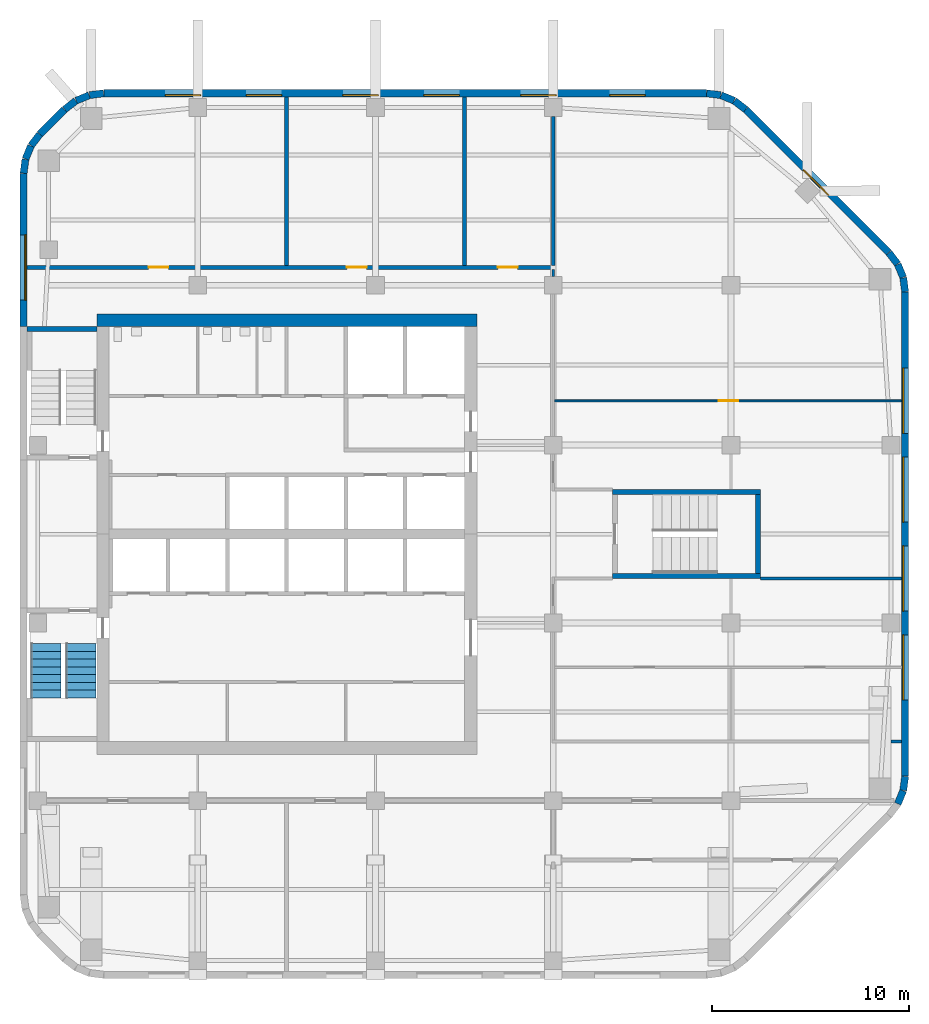
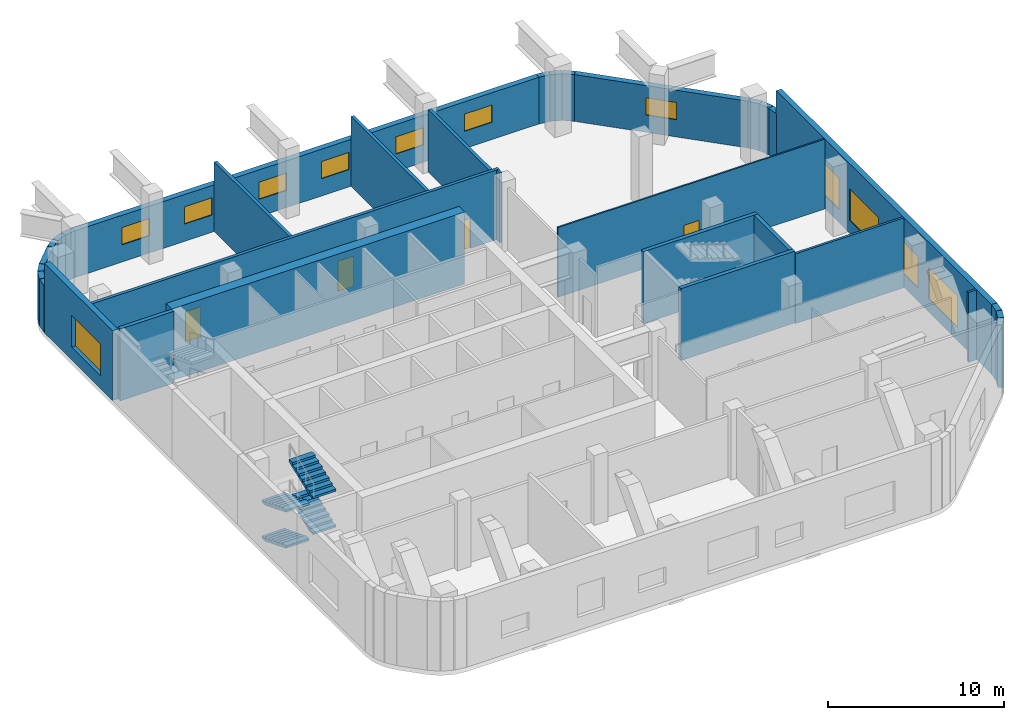
# One storey, part 5 of 8: 32 walls, 12 windows, 4 doors, 4 stair flights, 16 openings, 1 element without a shape of its own.
"""IFC4 building model written with IfcOpenShell, lengths in metres."""

from ifc_helpers import new_model, si_unit, direction, frame, frame_2d, origin, place, context, subcontext, project, spatial, polyline, rectangle, outline, extrude, material, layer, layer_set, type_object, element, fill, aggregate, save


model = new_model("IFC4")

# Units and contexts
model_context = context("Model", 3, precision=1e-05, world=origin(), true_north=direction((0.0, 1.0)))
body_context = subcontext(model_context, "Body", "Model", "MODEL_VIEW")
ifc_project = project(units=[si_unit("LENGTHUNIT", "METRE"), si_unit("AREAUNIT", "SQUARE_METRE"), si_unit("VOLUMEUNIT", "CUBIC_METRE"), si_unit("PLANEANGLEUNIT", "RADIAN"), si_unit("MASSUNIT", "GRAM", prefix="KILO")], contexts=[model_context])

# Site, building, storey
site_placement = place(None, origin())
site = spatial("IfcSite", under=ifc_project, at=site_placement, CompositionType="ELEMENT")
building_placement = place(site_placement, origin())
building = spatial("IfcBuilding", under=site, at=building_placement, Name="Cinnabar Reach Civic Tower", CompositionType="ELEMENT")
storey_placement = place(building_placement, frame((0.0, 0.0, 193.0)))
storey = spatial("IfcBuildingStorey", under=building, at=storey_placement, Name="L46", CompositionType="ELEMENT", Elevation=193.0)

# Walls
ifc_material_1 = material(Name="Facing brick with insulated backing", Category="masonry")
ifc_layer_1 = layer(ifc_material_1, 0.36)
ifc_layer_set_1 = layer_set([ifc_layer_1], Name="Brick corner wall")
wall_type_1 = type_object("IfcWallType", Name="Brick corner wall", PredefinedType="STANDARD", material=ifc_layer_set_1)
for number, where, z_axis, x_axis, name in (
    (1, (44.4452, 17.8439, 0.0), (0.0, 0.0, 1.0), (0.382702709855, 0.923871547278, 0.0), "Brick corner wall"),
    (2, (44.7239, 18.5244, 0.0), (0.0, 0.0, 1.0), (0.13055608231, 0.99144092581, 0.0), "Brick corner wall"),
):
    element("IfcWall", number, at=place(storey_placement, frame(where, z_axis=z_axis, x_axis=x_axis)), inside=storey, type_object=wall_type_1, Name=name, PredefinedType="STANDARD", context=body_context, shape_type="SweptSolid", body=[
        extrude(rectangle(XDim=0.7131, YDim=0.36, at=frame_2d((0.3565, 0.0))), origin(), (0.0, 0.0, 1.0), 4.85),
    ])
for number, where, z_axis, x_axis, name in (
    (3, (44.817, 43.7686, 0.0), (0.0, 0.0, 1.0), (-0.13055608231, 0.99144092581, 0.0), "Brick corner wall"),
    (4, (44.7181, 44.4973, 0.0), (0.0, 0.0, 1.0), (-0.382702709855, 0.923871547278, 0.0), "Brick corner wall"),
):
    element("IfcWall", number, at=place(storey_placement, frame(where, z_axis=z_axis, x_axis=x_axis)), inside=storey, type_object=wall_type_1, Name=name, PredefinedType="STANDARD", context=body_context, shape_type="SweptSolid", body=[
        extrude(rectangle(XDim=0.7131, YDim=0.36, at=frame_2d((0.3565, 0.0))), origin(), (0.0, 0.0, 1.0), 3.25),
    ])
for number, where, z_axis, x_axis, name in (
    (5, (44.434, 45.1755, 0.0), (0.0, 0.0, 1.0), (-0.608802368033, 0.793321924995, 0.0), "Brick corner wall"),
    (6, (36.7413, 52.9998, 0.0), (0.0, 0.0, 1.0), (-0.793321924995, 0.608802368033, 0.0), "Brick corner wall"),
):
    element("IfcWall", number, at=place(storey_placement, frame(where, z_axis=z_axis, x_axis=x_axis)), inside=storey, type_object=wall_type_1, Name=name, PredefinedType="STANDARD", context=body_context, shape_type="SweptSolid", body=[
        extrude(rectangle(XDim=0.7132, YDim=0.36, at=frame_2d((0.3566, 0.0))), origin(), (0.0, 0.0, 1.0), 3.25),
    ])
for number, where, z_axis, x_axis, name in (
    (7, (36.1561, 53.4452, 0.0), (0.0, 0.0, 1.0), (-0.923871547278, 0.382702709855, 0.0), "Brick corner wall"),
    (8, (35.4756, 53.7239, 0.0), (0.0, 0.0, 1.0), (-0.99144092581, 0.13055608231, 0.0), "Brick corner wall"),
    (9, (4.2314, 53.817, 0.0), (0.0, 0.0, 1.0), (-0.99144092581, -0.13055608231, 0.0), "Brick corner wall"),
    (10, (3.5027, 53.7181, 0.0), (0.0, 0.0, 1.0), (-0.923871547278, -0.382702709855, 0.0), "Brick corner wall"),
):
    element("IfcWall", number, at=place(storey_placement, frame(where, z_axis=z_axis, x_axis=x_axis)), inside=storey, type_object=wall_type_1, Name=name, PredefinedType="STANDARD", context=body_context, shape_type="SweptSolid", body=[
        extrude(rectangle(XDim=0.7131, YDim=0.36, at=frame_2d((0.3565, 0.0))), origin(), (0.0, 0.0, 1.0), 3.25),
    ])
for number, where, z_axis, x_axis, name in (
    (11, (2.8245, 53.434, 0.0), (0.0, 0.0, 1.0), (-0.793321924995, -0.608802368033, 0.0), "Brick corner wall"),
    (12, (1.0002, 51.7413, 0.0), (0.0, 0.0, 1.0), (-0.608802368033, -0.793321924995, 0.0), "Brick corner wall"),
):
    element("IfcWall", number, at=place(storey_placement, frame(where, z_axis=z_axis, x_axis=x_axis)), inside=storey, type_object=wall_type_1, Name=name, PredefinedType="STANDARD", context=body_context, shape_type="SweptSolid", body=[
        extrude(rectangle(XDim=0.7132, YDim=0.36, at=frame_2d((0.3566, 0.0))), origin(), (0.0, 0.0, 1.0), 3.25),
    ])
for number, where, z_axis, x_axis, name in (
    (13, (0.5548, 51.1561, 0.0), (0.0, 0.0, 1.0), (-0.382702709855, -0.923871547278, 0.0), "Brick corner wall"),
    (14, (0.2761, 50.4756, 0.0), (0.0, 0.0, 1.0), (-0.13055608231, -0.99144092581, 0.0), "Brick corner wall"),
):
    element("IfcWall", number, at=place(storey_placement, frame(where, z_axis=z_axis, x_axis=x_axis)), inside=storey, type_object=wall_type_1, Name=name, PredefinedType="STANDARD", context=body_context, shape_type="SweptSolid", body=[
        extrude(rectangle(XDim=0.7131, YDim=0.36, at=frame_2d((0.3565, 0.0))), origin(), (0.0, 0.0, 1.0), 3.25),
    ])

# Wall, openings, windows
ifc_layer_2 = layer(ifc_material_1, 0.36)
ifc_layer_set_2 = layer_set([ifc_layer_2], Name="Brick pier and spandrel wall")
wall_type_2 = type_object("IfcWallType", Name="Brick pier and spandrel wall", PredefinedType="STANDARD", material=ifc_layer_set_2)
wall_1_placement = place(storey_placement, frame((44.82, 19.2426, 0.0), z_axis=(0.0, 0.0, 1.0), x_axis=(0.0, 1.0, 0.0)))
wall_1 = element("IfcWall", 15, at=wall_1_placement, inside=storey, type_object=wall_type_2, Name="Brick facade wall", PredefinedType="STANDARD", context=body_context, shape_type="SweptSolid", body=[
    extrude(rectangle(XDim=24.5148, YDim=0.36, at=frame_2d((12.2574, 0.0))), origin(), (0.0, 0.0, 1.0), 4.85),
])
opening_1_placement = place(wall_1_placement, frame((3.8574, 0.0, 0.9)))
opening_1 = element("IfcOpeningElement", 16, at=opening_1_placement, cuts=wall_1, Name="Opening W1948", PredefinedType="OPENING", context=body_context, shape_type="SweptSolid", body=[
    extrude(rectangle(XDim=3.3, YDim=2.2, at=frame_2d((1.65, 1.1))), frame((0.0, 0.19, 0.0), z_axis=(0.0, -1.0, 0.0), x_axis=(1.0, 0.0, 0.0)), (0.0, 0.0, 1.0), 0.38),
])
opening_2_placement = place(wall_1_placement, frame((8.3574, 0.0, 0.9)))
opening_2 = element("IfcOpeningElement", 17, at=opening_2_placement, cuts=wall_1, Name="Opening W1949", PredefinedType="OPENING", context=body_context, shape_type="SweptSolid", body=[
    extrude(rectangle(XDim=3.3, YDim=2.2, at=frame_2d((1.65, 1.1))), frame((0.0, 0.19, 0.0), z_axis=(0.0, -1.0, 0.0), x_axis=(1.0, 0.0, 0.0)), (0.0, 0.0, 1.0), 0.38),
])
opening_3_placement = place(wall_1_placement, frame((12.8574, 0.0, 0.9)))
opening_3 = element("IfcOpeningElement", 18, at=opening_3_placement, cuts=wall_1, Name="Opening W1950", PredefinedType="OPENING", context=body_context, shape_type="SweptSolid", body=[
    extrude(rectangle(XDim=3.3, YDim=2.2, at=frame_2d((1.65, 1.1))), frame((0.0, 0.19, 0.0), z_axis=(0.0, -1.0, 0.0), x_axis=(1.0, 0.0, 0.0)), (0.0, 0.0, 1.0), 0.38),
])
opening_4_placement = place(wall_1_placement, frame((17.3574, 0.0, 0.9)))
opening_4 = element("IfcOpeningElement", 19, at=opening_4_placement, cuts=wall_1, Name="Opening W1951", PredefinedType="OPENING", context=body_context, shape_type="SweptSolid", body=[
    extrude(rectangle(XDim=3.3, YDim=2.2, at=frame_2d((1.65, 1.1))), frame((0.0, 0.19, 0.0), z_axis=(0.0, -1.0, 0.0), x_axis=(1.0, 0.0, 0.0)), (0.0, 0.0, 1.0), 0.38),
])
ifc_material_2 = material(Name="Clear double glazing in aluminium frame", Category="aluminium")
window_type_1 = type_object("IfcWindowType", Name="Deep-set window B", PartitioningType="SINGLE_PANEL", PredefinedType="WINDOW", material=ifc_material_2)
window_1_placement = place(opening_1_placement, origin())
window_1 = element("IfcWindow", 20, at=window_1_placement, inside=storey, type_object=window_type_1, Name="Window east face", OverallHeight=2.2, OverallWidth=3.3, PartitioningType="SINGLE_PANEL", PredefinedType="WINDOW", context=body_context, shape_type="SweptSolid", body=[
    extrude(rectangle(XDim=3.3, YDim=2.2, at=frame_2d((1.65, 1.1))), frame((0.0, 0.13, 0.0), z_axis=(0.0, -1.0, 0.0), x_axis=(1.0, 0.0, 0.0)), (0.0, 0.0, 1.0), 0.06),
])
fill(opening_1, window_1)
window_2_placement = place(opening_2_placement, origin())
window_2 = element("IfcWindow", 21, at=window_2_placement, inside=storey, type_object=window_type_1, Name="Window east face", OverallHeight=2.2, OverallWidth=3.3, PartitioningType="SINGLE_PANEL", PredefinedType="WINDOW", context=body_context, shape_type="SweptSolid", body=[
    extrude(rectangle(XDim=3.3, YDim=2.2, at=frame_2d((1.65, 1.1))), frame((0.0, 0.13, 0.0), z_axis=(0.0, -1.0, 0.0), x_axis=(1.0, 0.0, 0.0)), (0.0, 0.0, 1.0), 0.06),
])
fill(opening_2, window_2)
window_3_placement = place(opening_3_placement, origin())
window_3 = element("IfcWindow", 22, at=window_3_placement, inside=storey, type_object=window_type_1, Name="Window east face", OverallHeight=2.2, OverallWidth=3.3, PartitioningType="SINGLE_PANEL", PredefinedType="WINDOW", context=body_context, shape_type="SweptSolid", body=[
    extrude(rectangle(XDim=3.3, YDim=2.2, at=frame_2d((1.65, 1.1))), frame((0.0, 0.13, 0.0), z_axis=(0.0, -1.0, 0.0), x_axis=(1.0, 0.0, 0.0)), (0.0, 0.0, 1.0), 0.06),
])
fill(opening_3, window_3)
window_4_placement = place(opening_4_placement, origin())
window_4 = element("IfcWindow", 23, at=window_4_placement, inside=storey, type_object=window_type_1, Name="Window east face", OverallHeight=2.2, OverallWidth=3.3, PartitioningType="SINGLE_PANEL", PredefinedType="WINDOW", context=body_context, shape_type="SweptSolid", body=[
    extrude(rectangle(XDim=3.3, YDim=2.2, at=frame_2d((1.65, 1.1))), frame((0.0, 0.13, 0.0), z_axis=(0.0, -1.0, 0.0), x_axis=(1.0, 0.0, 0.0)), (0.0, 0.0, 1.0), 0.06),
])
fill(opening_4, window_4)

# Wall, opening, window
wall_2_placement = place(storey_placement, frame((43.994, 45.7514, 0.0), z_axis=(0.0, 0.0, 1.0), x_axis=(-0.707106781187, 0.707106781187, 0.0)))
wall_2 = element("IfcWall", 24, at=wall_2_placement, inside=storey, type_object=wall_type_2, Name="Brick facade wall", PredefinedType="STANDARD", context=body_context, shape_type="SweptSolid", body=[
    extrude(rectangle(XDim=10.2426, YDim=0.36, at=frame_2d((5.1213, 0.0))), origin(), (0.0, 0.0, 1.0), 3.25),
])
opening_5_placement = place(wall_2_placement, frame((4.2213, 0.0, 1.2)))
opening_5 = element("IfcOpeningElement", 25, at=opening_5_placement, cuts=wall_2, Name="Opening W1952", PredefinedType="OPENING", context=body_context, shape_type="SweptSolid", body=[
    extrude(rectangle(XDim=1.8, YDim=1.2, at=frame_2d((0.9, 0.6))), frame((0.0, 0.19, 0.0), z_axis=(0.0, -1.0, 0.0), x_axis=(1.0, 0.0, 0.0)), (0.0, 0.0, 1.0), 0.38),
])
window_type_2 = type_object("IfcWindowType", Name="Deep-set window C", PartitioningType="SINGLE_PANEL", PredefinedType="WINDOW", material=ifc_material_2)
window_5_placement = place(opening_5_placement, origin())
window_5 = element("IfcWindow", 26, at=window_5_placement, inside=storey, type_object=window_type_2, Name="Window northeast face", OverallHeight=1.2, OverallWidth=1.8, PartitioningType="SINGLE_PANEL", PredefinedType="WINDOW", context=body_context, shape_type="SweptSolid", body=[
    extrude(rectangle(XDim=1.8, YDim=1.2, at=frame_2d((0.9, 0.6))), frame((0.0, 0.13, 0.0), z_axis=(0.0, -1.0, 0.0), x_axis=(1.0, 0.0, 0.0)), (0.0, 0.0, 1.0), 0.06),
])
fill(opening_5, window_5)

# Wall, openings, windows
wall_3_placement = place(storey_placement, frame((34.7574, 53.82, 0.0), z_axis=(0.0, 0.0, 1.0), x_axis=(-1.0, 0.0, 0.0)))
wall_3 = element("IfcWall", 27, at=wall_3_placement, inside=storey, type_object=wall_type_2, Name="Brick facade wall", PredefinedType="STANDARD", context=body_context, shape_type="SweptSolid", body=[
    extrude(rectangle(XDim=30.5148, YDim=0.36, at=frame_2d((15.2574, 0.0))), origin(), (0.0, 0.0, 1.0), 3.25),
])
opening_6_placement = place(wall_3_placement, frame((3.1074, 0.0, 1.2)))
opening_6 = element("IfcOpeningElement", 28, at=opening_6_placement, cuts=wall_3, Name="Opening W1953", PredefinedType="OPENING", context=body_context, shape_type="SweptSolid", body=[
    extrude(rectangle(XDim=1.8, YDim=1.2, at=frame_2d((0.9, 0.6))), frame((0.0, 0.19, 0.0), z_axis=(0.0, -1.0, 0.0), x_axis=(1.0, 0.0, 0.0)), (0.0, 0.0, 1.0), 0.38),
])
opening_7_placement = place(wall_3_placement, frame((7.6074, 0.0, 1.2)))
opening_7 = element("IfcOpeningElement", 29, at=opening_7_placement, cuts=wall_3, Name="Opening W1954", PredefinedType="OPENING", context=body_context, shape_type="SweptSolid", body=[
    extrude(rectangle(XDim=1.8, YDim=1.2, at=frame_2d((0.9, 0.6))), frame((0.0, 0.19, 0.0), z_axis=(0.0, -1.0, 0.0), x_axis=(1.0, 0.0, 0.0)), (0.0, 0.0, 1.0), 0.38),
])
opening_8_placement = place(wall_3_placement, frame((12.5074, 0.0, 1.2)))
opening_8 = element("IfcOpeningElement", 30, at=opening_8_placement, cuts=wall_3, Name="Opening W1955", PredefinedType="OPENING", context=body_context, shape_type="SweptSolid", body=[
    extrude(rectangle(XDim=1.8, YDim=1.2, at=frame_2d((0.9, 0.6))), frame((0.0, 0.19, 0.0), z_axis=(0.0, -1.0, 0.0), x_axis=(1.0, 0.0, 0.0)), (0.0, 0.0, 1.0), 0.38),
])
opening_9_placement = place(wall_3_placement, frame((16.6074, 0.0, 1.2)))
opening_9 = element("IfcOpeningElement", 31, at=opening_9_placement, cuts=wall_3, Name="Opening W1956", PredefinedType="OPENING", context=body_context, shape_type="SweptSolid", body=[
    extrude(rectangle(XDim=1.8, YDim=1.2, at=frame_2d((0.9, 0.6))), frame((0.0, 0.19, 0.0), z_axis=(0.0, -1.0, 0.0), x_axis=(1.0, 0.0, 0.0)), (0.0, 0.0, 1.0), 0.38),
])
opening_10_placement = place(wall_3_placement, frame((21.5074, 0.0, 1.2)))
opening_10 = element("IfcOpeningElement", 32, at=opening_10_placement, cuts=wall_3, Name="Opening W1957", PredefinedType="OPENING", context=body_context, shape_type="SweptSolid", body=[
    extrude(rectangle(XDim=1.8, YDim=1.2, at=frame_2d((0.9, 0.6))), frame((0.0, 0.19, 0.0), z_axis=(0.0, -1.0, 0.0), x_axis=(1.0, 0.0, 0.0)), (0.0, 0.0, 1.0), 0.38),
])
opening_11_placement = place(wall_3_placement, frame((25.6074, 0.0, 1.2)))
opening_11 = element("IfcOpeningElement", 33, at=opening_11_placement, cuts=wall_3, Name="Opening W1958", PredefinedType="OPENING", context=body_context, shape_type="SweptSolid", body=[
    extrude(rectangle(XDim=1.8, YDim=1.2, at=frame_2d((0.9, 0.6))), frame((0.0, 0.19, 0.0), z_axis=(0.0, -1.0, 0.0), x_axis=(1.0, 0.0, 0.0)), (0.0, 0.0, 1.0), 0.38),
])
window_6_placement = place(opening_6_placement, origin())
window_6 = element("IfcWindow", 34, at=window_6_placement, inside=storey, type_object=window_type_2, Name="Window north face", OverallHeight=1.2, OverallWidth=1.8, PartitioningType="SINGLE_PANEL", PredefinedType="WINDOW", context=body_context, shape_type="SweptSolid", body=[
    extrude(rectangle(XDim=1.8, YDim=1.2, at=frame_2d((0.9, 0.6))), frame((0.0, 0.13, 0.0), z_axis=(0.0, -1.0, 0.0), x_axis=(1.0, 0.0, 0.0)), (0.0, 0.0, 1.0), 0.06),
])
fill(opening_6, window_6)
window_7_placement = place(opening_7_placement, origin())
window_7 = element("IfcWindow", 35, at=window_7_placement, inside=storey, type_object=window_type_2, Name="Window north face", OverallHeight=1.2, OverallWidth=1.8, PartitioningType="SINGLE_PANEL", PredefinedType="WINDOW", context=body_context, shape_type="SweptSolid", body=[
    extrude(rectangle(XDim=1.8, YDim=1.2, at=frame_2d((0.9, 0.6))), frame((0.0, 0.13, 0.0), z_axis=(0.0, -1.0, 0.0), x_axis=(1.0, 0.0, 0.0)), (0.0, 0.0, 1.0), 0.06),
])
fill(opening_7, window_7)
window_8_placement = place(opening_8_placement, origin())
window_8 = element("IfcWindow", 36, at=window_8_placement, inside=storey, type_object=window_type_2, Name="Window north face", OverallHeight=1.2, OverallWidth=1.8, PartitioningType="SINGLE_PANEL", PredefinedType="WINDOW", context=body_context, shape_type="SweptSolid", body=[
    extrude(rectangle(XDim=1.8, YDim=1.2, at=frame_2d((0.9, 0.6))), frame((0.0, 0.13, 0.0), z_axis=(0.0, -1.0, 0.0), x_axis=(1.0, 0.0, 0.0)), (0.0, 0.0, 1.0), 0.06),
])
fill(opening_8, window_8)
window_9_placement = place(opening_9_placement, origin())
window_9 = element("IfcWindow", 37, at=window_9_placement, inside=storey, type_object=window_type_2, Name="Window north face", OverallHeight=1.2, OverallWidth=1.8, PartitioningType="SINGLE_PANEL", PredefinedType="WINDOW", context=body_context, shape_type="SweptSolid", body=[
    extrude(rectangle(XDim=1.8, YDim=1.2, at=frame_2d((0.9, 0.6))), frame((0.0, 0.13, 0.0), z_axis=(0.0, -1.0, 0.0), x_axis=(1.0, 0.0, 0.0)), (0.0, 0.0, 1.0), 0.06),
])
fill(opening_9, window_9)
window_10_placement = place(opening_10_placement, origin())
window_10 = element("IfcWindow", 38, at=window_10_placement, inside=storey, type_object=window_type_2, Name="Window north face", OverallHeight=1.2, OverallWidth=1.8, PartitioningType="SINGLE_PANEL", PredefinedType="WINDOW", context=body_context, shape_type="SweptSolid", body=[
    extrude(rectangle(XDim=1.8, YDim=1.2, at=frame_2d((0.9, 0.6))), frame((0.0, 0.13, 0.0), z_axis=(0.0, -1.0, 0.0), x_axis=(1.0, 0.0, 0.0)), (0.0, 0.0, 1.0), 0.06),
])
fill(opening_10, window_10)
window_11_placement = place(opening_11_placement, origin())
window_11 = element("IfcWindow", 39, at=window_11_placement, inside=storey, type_object=window_type_2, Name="Window north face", OverallHeight=1.2, OverallWidth=1.8, PartitioningType="SINGLE_PANEL", PredefinedType="WINDOW", context=body_context, shape_type="SweptSolid", body=[
    extrude(rectangle(XDim=1.8, YDim=1.2, at=frame_2d((0.9, 0.6))), frame((0.0, 0.13, 0.0), z_axis=(0.0, -1.0, 0.0), x_axis=(1.0, 0.0, 0.0)), (0.0, 0.0, 1.0), 0.06),
])
fill(opening_11, window_11)

# Wall
wall_4_placement = place(storey_placement, frame((2.2486, 52.994, 0.0), z_axis=(0.0, 0.0, 1.0), x_axis=(-0.707106781187, -0.707106781187, 0.0)))
element("IfcWall", 40, at=wall_4_placement, inside=storey, type_object=wall_type_2, Name="Brick facade wall", PredefinedType="STANDARD", context=body_context, shape_type="SweptSolid", body=[
    extrude(rectangle(XDim=1.7573, YDim=0.36, at=frame_2d((0.8787, 0.0))), origin(), (0.0, 0.0, 1.0), 3.25),
])

# Wall, opening, window
wall_5_placement = place(storey_placement, frame((0.18, 49.7574, 0.0), z_axis=(0.0, 0.0, 1.0), x_axis=(0.0, -1.0, 0.0)))
wall_5 = element("IfcWall", 41, at=wall_5_placement, inside=storey, type_object=wall_type_2, Name="Brick facade wall", PredefinedType="STANDARD", context=body_context, shape_type="SweptSolid", body=[
    extrude(rectangle(XDim=7.7574, YDim=0.36, at=frame_2d((3.8787, 0.0))), origin(), (0.0, 0.0, 1.0), 4.85),
])
opening_12_placement = place(wall_5_placement, frame((3.1074, 0.0, 0.9)))
opening_12 = element("IfcOpeningElement", 42, at=opening_12_placement, cuts=wall_5, Name="Opening W1959", PredefinedType="OPENING", context=body_context, shape_type="SweptSolid", body=[
    extrude(rectangle(XDim=3.3, YDim=2.2, at=frame_2d((1.65, 1.1))), frame((0.0, 0.19, 0.0), z_axis=(0.0, -1.0, 0.0), x_axis=(1.0, 0.0, 0.0)), (0.0, 0.0, 1.0), 0.38),
])
window_12_placement = place(opening_12_placement, origin())
window_12 = element("IfcWindow", 43, at=window_12_placement, inside=storey, type_object=window_type_1, Name="Window west face", OverallHeight=2.2, OverallWidth=3.3, PartitioningType="SINGLE_PANEL", PredefinedType="WINDOW", context=body_context, shape_type="SweptSolid", body=[
    extrude(rectangle(XDim=3.3, YDim=2.2, at=frame_2d((1.65, 1.1))), frame((0.0, 0.13, 0.0), z_axis=(0.0, -1.0, 0.0), x_axis=(1.0, 0.0, 0.0)), (0.0, 0.0, 1.0), 0.06),
])
fill(opening_12, window_12)

# Walls
ifc_material_3 = material(Name="Concrete C70", Category="concrete")
ifc_layer_3 = layer(ifc_material_3, 0.65)
ifc_layer_set_3 = layer_set([ifc_layer_3], Name="Core wall 650 EI 180")
wall_type_3 = type_object("IfcWallType", Name="Core wall 650 EI 180", PredefinedType="SOLIDWALL", material=ifc_layer_set_3)
wall_6_placement = place(storey_placement, frame((23.15, 42.325, 0.0), z_axis=(0.0, 0.0, 1.0), x_axis=(-1.0, 0.0, 0.0)))
element("IfcWall", 44, at=wall_6_placement, inside=storey, type_object=wall_type_3, Name="Core wall T1 L46 N", PredefinedType="SOLIDWALL", context=body_context, shape_type="SweptSolid", body=[
    extrude(rectangle(XDim=19.25, YDim=0.65, at=frame_2d((9.625, 0.0))), origin(), (0.0, 0.0, 1.0), 5.0),
])
ifc_material_4 = material(Name="Gypsum board on steel studs, double layer", Category="steel")
ifc_layer_4 = layer(ifc_material_4, 0.15)
ifc_layer_set_4 = layer_set([ifc_layer_4], Name="Corridor wall 150 T1")
wall_type_4 = type_object("IfcWallType", Name="Corridor wall 150 T1", PredefinedType="PARTITIONING", material=ifc_layer_set_4)
wall_7_placement = place(storey_placement, frame((44.0969, 21.0, 0.0), z_axis=(0.0, 0.0, 1.0), x_axis=(1.0, 0.0, 0.0)))
element("IfcWall", 45, at=wall_7_placement, inside=storey, type_object=wall_type_4, Name="Corridor wall 33", PredefinedType="PARTITIONING", context=body_context, shape_type="SweptSolid", body=[
    extrude(rectangle(XDim=0.5431, YDim=0.15, at=frame_2d((0.2716, 0.0))), origin(), (0.0, 0.0, 1.0), 4.85),
])
wall_8_placement = place(storey_placement, frame((27.0, 44.55, 0.0), z_axis=(0.0, 0.0, 1.0), x_axis=(0.0, 1.0, 0.0)))
element("IfcWall", 46, at=wall_8_placement, inside=storey, type_object=wall_type_4, Name="Corridor wall 37", PredefinedType="PARTITIONING", context=body_context, shape_type="SweptSolid", body=[
    extrude(rectangle(XDim=0.35, YDim=0.15, at=frame_2d((0.175, 0.0))), origin(), (0.0, 0.0, 1.0), 4.85),
])

# Wall, opening, door
ifc_material_5 = material(Name="Gypsum board on steel studs", Category="steel")
ifc_layer_5 = layer(ifc_material_5, 0.1)
ifc_layer_set_5 = layer_set([ifc_layer_5], Name="Partition wall 100 T1")
wall_type_5 = type_object("IfcWallType", Name="Partition wall 100 T1", PredefinedType="PARTITIONING", material=ifc_layer_set_5)
wall_9_placement = place(storey_placement, frame((27.075, 38.25, 0.0), z_axis=(0.0, 0.0, 1.0), x_axis=(1.0, 0.0, 0.0)))
wall_9 = element("IfcWall", 47, at=wall_9_placement, inside=storey, type_object=wall_type_5, Name="Partition wall 49", PredefinedType="PARTITIONING", context=body_context, shape_type="SweptSolid", body=[
    extrude(rectangle(XDim=17.565, YDim=0.1, at=frame_2d((8.7825, 0.0))), origin(), (0.0, 0.0, 1.0), 4.85),
])
opening_13_placement = place(wall_9_placement, frame((8.3, 0.0, 0.0)))
opening_13 = element("IfcOpeningElement", 48, at=opening_13_placement, cuts=wall_9, Name="Opening D4899", PredefinedType="OPENING", context=body_context, shape_type="SweptSolid", body=[
    extrude(rectangle(XDim=1.0, YDim=2.1, at=frame_2d((0.5, 1.05))), frame((0.0, 0.06, 0.0), z_axis=(0.0, -1.0, 0.0), x_axis=(1.0, 0.0, 0.0)), (0.0, 0.0, 1.0), 0.12),
])
ifc_material_6 = material(Name="Timber door leaf in steel frame", Category="steel")
door_type_1 = type_object("IfcDoorType", Name="Plant room door 1000 x 2100 T1", OperationType="SINGLE_SWING_LEFT", PredefinedType="DOOR", material=ifc_material_6)
door_1_placement = place(opening_13_placement, frame((1.0, 0.0, 0.0), z_axis=(0.0, 0.0, 1.0), x_axis=(-1.0, 0.0, 0.0)))
door_1 = element("IfcDoor", 49, at=door_1_placement, inside=storey, type_object=door_type_1, Name="Door D4899", OperationType="SINGLE_SWING_RIGHT", OverallHeight=2.1, OverallWidth=1.0, PredefinedType="DOOR", context=body_context, shape_type="SweptSolid", body=[
    extrude(rectangle(XDim=1.0, YDim=2.1, at=frame_2d((0.5, 1.05))), frame((0.0, 0.025, 0.0), z_axis=(0.0, -1.0, 0.0), x_axis=(1.0, 0.0, 0.0)), (0.0, 0.0, 1.0), 0.05),
])
fill(opening_13, door_1)

# Wall, openings, doors
ifc_material_7 = material(Name="Concrete C40", Category="concrete")
ifc_layer_6 = layer(ifc_material_7, 0.2)
ifc_layer_set_6 = layer_set([ifc_layer_6], Name="Refuge compartment wall 200 T1")
wall_type_6 = type_object("IfcWallType", Name="Refuge compartment wall 200 T1", PredefinedType="PARTITIONING", material=ifc_layer_set_6)
wall_10_placement = place(storey_placement, frame((0.36, 45.0, 0.0), z_axis=(0.0, 0.0, 1.0), x_axis=(1.0, 0.0, 0.0)))
wall_10 = element("IfcWall", 50, at=wall_10_placement, inside=storey, type_object=wall_type_6, Name="Refuge compartment wall 6", PredefinedType="PARTITIONING", context=body_context, shape_type="SweptSolid", body=[
    extrude(rectangle(XDim=26.74, YDim=0.2, at=frame_2d((13.37, 0.0))), origin(), (0.0, 0.0, 1.0), 4.85),
])
opening_14_placement = place(wall_10_placement, frame((6.15, 0.0, 0.0)))
opening_14 = element("IfcOpeningElement", 51, at=opening_14_placement, cuts=wall_10, Name="Opening D4908", PredefinedType="OPENING", context=body_context, shape_type="SweptSolid", body=[
    extrude(rectangle(XDim=1.0, YDim=2.1, at=frame_2d((0.5, 1.05))), frame((0.0, 0.11, 0.0), z_axis=(0.0, -1.0, 0.0), x_axis=(1.0, 0.0, 0.0)), (0.0, 0.0, 1.0), 0.22),
])
opening_15_placement = place(wall_10_placement, frame((16.19, 0.0, 0.0)))
opening_15 = element("IfcOpeningElement", 52, at=opening_15_placement, cuts=wall_10, Name="Opening D4909", PredefinedType="OPENING", context=body_context, shape_type="SweptSolid", body=[
    extrude(rectangle(XDim=1.0, YDim=2.1, at=frame_2d((0.5, 1.05))), frame((0.0, 0.11, 0.0), z_axis=(0.0, -1.0, 0.0), x_axis=(1.0, 0.0, 0.0)), (0.0, 0.0, 1.0), 0.22),
])
opening_16_placement = place(wall_10_placement, frame((23.84, 0.0, 0.0)))
opening_16 = element("IfcOpeningElement", 53, at=opening_16_placement, cuts=wall_10, Name="Opening D4910", PredefinedType="OPENING", context=body_context, shape_type="SweptSolid", body=[
    extrude(rectangle(XDim=1.0, YDim=2.1, at=frame_2d((0.5, 1.05))), frame((0.0, 0.11, 0.0), z_axis=(0.0, -1.0, 0.0), x_axis=(1.0, 0.0, 0.0)), (0.0, 0.0, 1.0), 0.22),
])
door_type_2 = type_object("IfcDoorType", Name="Refuge door 1000 x 2100 T1", OperationType="SINGLE_SWING_LEFT", PredefinedType="DOOR", material=ifc_material_6)
door_2_placement = place(opening_14_placement, origin())
door_2 = element("IfcDoor", 54, at=door_2_placement, inside=storey, type_object=door_type_2, Name="Door D4908", OperationType="SINGLE_SWING_LEFT", OverallHeight=2.1, OverallWidth=1.0, PredefinedType="DOOR", context=body_context, shape_type="SweptSolid", body=[
    extrude(rectangle(XDim=1.0, YDim=2.1, at=frame_2d((0.5, 1.05))), frame((0.0, 0.025, 0.0), z_axis=(0.0, -1.0, 0.0), x_axis=(1.0, 0.0, 0.0)), (0.0, 0.0, 1.0), 0.05),
])
fill(opening_14, door_2)
door_3_placement = place(opening_15_placement, origin())
door_3 = element("IfcDoor", 55, at=door_3_placement, inside=storey, type_object=door_type_2, Name="Door D4909", OperationType="SINGLE_SWING_LEFT", OverallHeight=2.1, OverallWidth=1.0, PredefinedType="DOOR", context=body_context, shape_type="SweptSolid", body=[
    extrude(rectangle(XDim=1.0, YDim=2.1, at=frame_2d((0.5, 1.05))), frame((0.0, 0.025, 0.0), z_axis=(0.0, -1.0, 0.0), x_axis=(1.0, 0.0, 0.0)), (0.0, 0.0, 1.0), 0.05),
])
fill(opening_15, door_3)
door_4_placement = place(opening_16_placement, frame((1.0, 0.0, 0.0), z_axis=(0.0, 0.0, 1.0), x_axis=(-1.0, 0.0, 0.0)))
door_4 = element("IfcDoor", 56, at=door_4_placement, inside=storey, type_object=door_type_2, Name="Door D4910", OperationType="SINGLE_SWING_LEFT", OverallHeight=2.1, OverallWidth=1.0, PredefinedType="DOOR", context=body_context, shape_type="SweptSolid", body=[
    extrude(rectangle(XDim=1.0, YDim=2.1, at=frame_2d((0.5, 1.05))), frame((0.0, 0.025, 0.0), z_axis=(0.0, -1.0, 0.0), x_axis=(1.0, 0.0, 0.0)), (0.0, 0.0, 1.0), 0.05),
])
fill(opening_16, door_4)

# Walls
for number, where, z_axis, x_axis, name in (
    (57, (13.5, 45.1, 0.0), (0.0, 0.0, 1.0), (0.0, 1.0, 0.0), "Refuge compartment wall 9"),
    (58, (22.5, 45.1, 0.0), (0.0, 0.0, 1.0), (0.0, 1.0, 0.0), "Refuge compartment wall 10"),
):
    element("IfcWall", number, at=place(storey_placement, frame(where, z_axis=z_axis, x_axis=x_axis)), inside=storey, type_object=wall_type_6, Name=name, PredefinedType="PARTITIONING", context=body_context, shape_type="SweptSolid", body=[
        extrude(rectangle(XDim=8.54, YDim=0.2, at=frame_2d((4.27, 0.0))), origin(), (0.0, 0.0, 1.0), 4.85),
    ])
wall_11_placement = place(storey_placement, frame((27.0, 45.1, 0.0), z_axis=(0.0, 0.0, 1.0), x_axis=(0.0, 1.0, 0.0)))
element("IfcWall", 59, at=wall_11_placement, inside=storey, type_object=wall_type_6, Name="Refuge compartment wall 13", PredefinedType="PARTITIONING", context=body_context, shape_type="SweptSolid", body=[
    extrude(rectangle(XDim=7.55, YDim=0.2, at=frame_2d((3.775, 0.0))), origin(), (0.0, 0.0, 1.0), 4.35),
])
ifc_material_8 = material(Name="Concrete C60", Category="concrete")
ifc_layer_7 = layer(ifc_material_8, 0.25)
ifc_layer_set_7 = layer_set([ifc_layer_7], Name="Stair shaft wall 250 EI 120")
wall_type_7 = type_object("IfcWallType", Name="Stair shaft wall 250 EI 120", PredefinedType="SOLIDWALL", material=ifc_layer_set_7)
wall_12_placement = place(storey_placement, frame((3.9, 41.875, 0.0), z_axis=(0.0, 0.0, 1.0), x_axis=(-1.0, 0.0, 0.0)))
element("IfcWall", 60, at=wall_12_placement, inside=storey, type_object=wall_type_7, Name="Stair shaft wall T1-S2 L46", PredefinedType="SOLIDWALL", context=body_context, shape_type="SweptSolid", body=[
    extrude(rectangle(XDim=3.54, YDim=0.25, at=frame_2d((1.77, 0.0))), origin(), (0.0, 0.0, 1.0), 5.0),
])
for number, where, z_axis, x_axis, name in (
    (61, (30.0, 29.375, 0.0), (0.0, 0.0, 1.0), (1.0, 0.0, 0.0), "Stair shaft wall T1-S3 L46"),
    (62, (37.5, 33.625, 0.0), (0.0, 0.0, 1.0), (-1.0, 0.0, 0.0), "Stair shaft wall T1-S3 L46"),
):
    element("IfcWall", number, at=place(storey_placement, frame(where, z_axis=z_axis, x_axis=x_axis)), inside=storey, type_object=wall_type_7, Name=name, PredefinedType="SOLIDWALL", context=body_context, shape_type="SweptSolid", body=[
        extrude(rectangle(XDim=7.5, YDim=0.25, at=frame_2d((3.75, 0.0))), origin(), (0.0, 0.0, 1.0), 5.0),
    ])
wall_13_placement = place(storey_placement, frame((37.375, 29.5, 0.0), z_axis=(0.0, 0.0, 1.0), x_axis=(0.0, 1.0, 0.0)))
element("IfcWall", 63, at=wall_13_placement, inside=storey, type_object=wall_type_7, Name="Stair shaft wall T1-S3 L46", PredefinedType="SOLIDWALL", context=body_context, shape_type="SweptSolid", body=[
    extrude(rectangle(XDim=4.0, YDim=0.25, at=frame_2d((2.0, 0.0))), origin(), (0.0, 0.0, 1.0), 5.0),
])
ifc_layer_8 = layer(ifc_material_4, 0.15)
ifc_layer_set_8 = layer_set([ifc_layer_8], Name="Tenancy separating wall 150 T1")
wall_type_8 = type_object("IfcWallType", Name="Tenancy separating wall 150 T1", PredefinedType="PARTITIONING", material=ifc_layer_set_8)
wall_14_placement = place(storey_placement, frame((37.5, 29.25, 0.0), z_axis=(0.0, 0.0, 1.0), x_axis=(1.0, 0.0, 0.0)))
element("IfcWall", 64, at=wall_14_placement, inside=storey, type_object=wall_type_8, Name="Tenancy separating wall 47", PredefinedType="PARTITIONING", context=body_context, shape_type="SweptSolid", body=[
    extrude(rectangle(XDim=7.14, YDim=0.15, at=frame_2d((3.57, 0.0))), origin(), (0.0, 0.0, 1.0), 4.85),
])

# Stair, stair flights
ifc_material_9 = material(Name="Concrete C40/50", Category="concrete")
stair_type = type_object("IfcStairType", Name="T1 Exit stair, double return", PredefinedType="DOUBLE_RETURN_STAIR", material=ifc_material_9)
stair_placement = place(storey_placement, origin())
stair = element("IfcStair", 65, at=stair_placement, inside=storey, type_object=stair_type, Name="Stair T1-S1", PredefinedType="DOUBLE_RETURN_STAIR")
stair_flight_type = type_object("IfcStairFlightType", Name="T1 Stair flight, concrete", PredefinedType="STRAIGHT", material=ifc_material_9)
stair_flight_1_placement = place(storey_placement, frame((1.3125, 25.95, 0.0), z_axis=(0.0, 0.0, 1.0), x_axis=(0.0, -1.0, 0.0)))
stair_flight_1 = element("IfcStairFlight", 66, at=stair_flight_1_placement, type_object=stair_flight_type, Name="T1-S1 flight 1", NumberOfRisers=8, NumberOfTreads=7, PredefinedType="STRAIGHT", RiserHeight=0.15625, TreadLength=0.392142857, context=body_context, shape_type="SweptSolid", body=[
    extrude(outline(polyline([(0.0, 0.0), (0.0, 0.1562), (0.3921, 0.1562), (0.3921, 0.3125), (0.7843, 0.3125), (0.7843, 0.4688), (1.1764, 0.4688), (1.1764, 0.625), (1.5686, 0.625), (1.5686, 0.7812), (1.9607, 0.7812), (1.9607, 0.9375), (2.3529, 0.9375), (2.3529, 1.0938), (2.745, 1.0938), (2.745, 1.25), (2.745, 0.9323), (0.4052, 0.0), (0.0, 0.0)])), frame((0.0, 0.7625, 0.0), z_axis=(0.0, -1.0, 0.0), x_axis=(1.0, 0.0, 0.0)), (0.0, 0.0, 1.0), 1.525),
])
stair_flight_2_placement = place(storey_placement, frame((3.0875, 23.205, 1.25), z_axis=(0.0, 0.0, 1.0), x_axis=(0.0, 1.0, 0.0)))
stair_flight_2 = element("IfcStairFlight", 67, at=stair_flight_2_placement, type_object=stair_flight_type, Name="T1-S1 flight 2", NumberOfRisers=8, NumberOfTreads=7, PredefinedType="STRAIGHT", RiserHeight=0.15625, TreadLength=0.392142857, context=body_context, shape_type="SweptSolid", body=[
    extrude(outline(polyline([(0.0, 0.0), (0.0, 0.1562), (0.3921, 0.1562), (0.3921, 0.3125), (0.7843, 0.3125), (0.7843, 0.4688), (1.1764, 0.4688), (1.1764, 0.625), (1.5686, 0.625), (1.5686, 0.7812), (1.9607, 0.7812), (1.9607, 0.9375), (2.3529, 0.9375), (2.3529, 1.0938), (2.745, 1.0938), (2.745, 1.25), (2.745, 0.9323), (0.4052, 0.0), (0.0, 0.0)])), frame((0.0, 0.7625, 0.0), z_axis=(0.0, -1.0, 0.0), x_axis=(1.0, 0.0, 0.0)), (0.0, 0.0, 1.0), 1.525),
])
stair_flight_3_placement = place(storey_placement, frame((1.3125, 25.95, 2.5), z_axis=(0.0, 0.0, 1.0), x_axis=(0.0, -1.0, 0.0)))
stair_flight_3 = element("IfcStairFlight", 68, at=stair_flight_3_placement, type_object=stair_flight_type, Name="T1-S1 flight 3", NumberOfRisers=8, NumberOfTreads=7, PredefinedType="STRAIGHT", RiserHeight=0.15625, TreadLength=0.392142857, context=body_context, shape_type="SweptSolid", body=[
    extrude(outline(polyline([(0.0, 0.0), (0.0, 0.1562), (0.3921, 0.1562), (0.3921, 0.3125), (0.7843, 0.3125), (0.7843, 0.4688), (1.1764, 0.4688), (1.1764, 0.625), (1.5686, 0.625), (1.5686, 0.7812), (1.9607, 0.7812), (1.9607, 0.9375), (2.3529, 0.9375), (2.3529, 1.0938), (2.745, 1.0938), (2.745, 1.25), (2.745, 0.9323), (0.4052, 0.0), (0.0, 0.0)])), frame((0.0, 0.7625, 0.0), z_axis=(0.0, -1.0, 0.0), x_axis=(1.0, 0.0, 0.0)), (0.0, 0.0, 1.0), 1.525),
])
stair_flight_4_placement = place(storey_placement, frame((3.0875, 23.205, 3.75), z_axis=(0.0, 0.0, 1.0), x_axis=(0.0, 1.0, 0.0)))
stair_flight_4 = element("IfcStairFlight", 69, at=stair_flight_4_placement, type_object=stair_flight_type, Name="T1-S1 flight 4", NumberOfRisers=8, NumberOfTreads=7, PredefinedType="STRAIGHT", RiserHeight=0.15625, TreadLength=0.392142857, context=body_context, shape_type="SweptSolid", body=[
    extrude(outline(polyline([(0.0, 0.0), (0.0, 0.1562), (0.3921, 0.1562), (0.3921, 0.3125), (0.7843, 0.3125), (0.7843, 0.4688), (1.1764, 0.4688), (1.1764, 0.625), (1.5686, 0.625), (1.5686, 0.7812), (1.9607, 0.7812), (1.9607, 0.9375), (2.3529, 0.9375), (2.3529, 1.0938), (2.745, 1.0938), (2.745, 1.25), (2.745, 0.9323), (0.4052, 0.0), (0.0, 0.0)])), frame((0.0, 0.7625, 0.0), z_axis=(0.0, -1.0, 0.0), x_axis=(1.0, 0.0, 0.0)), (0.0, 0.0, 1.0), 1.525),
])
aggregate(stair, [stair_flight_1, stair_flight_2, stair_flight_3, stair_flight_4])

save(model, "model.ifc")
